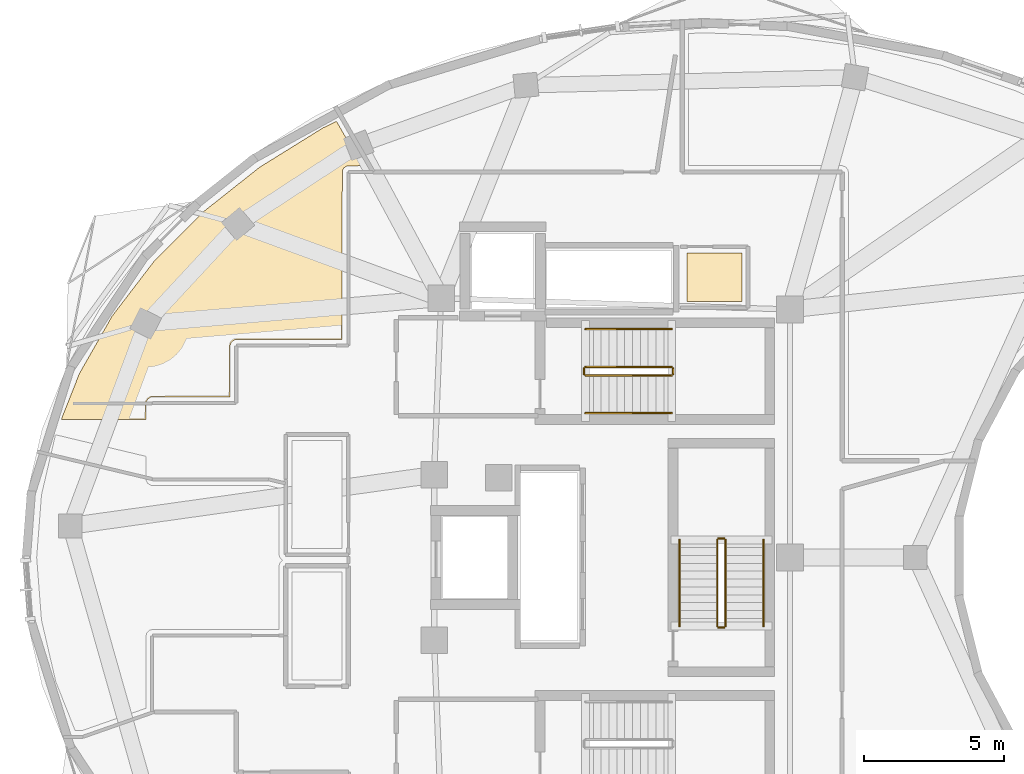
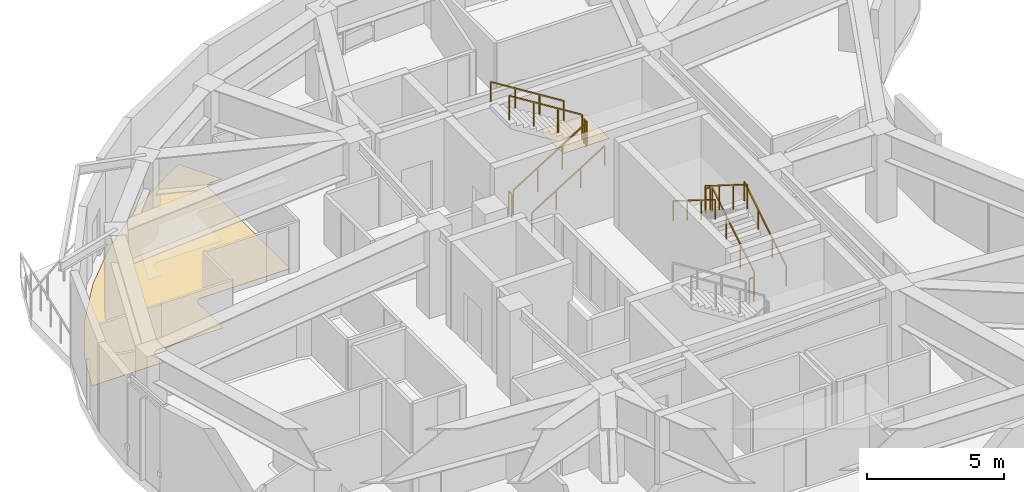
# One storey, part 11 of 12: 12 railings, 2 coverings.
"""IFC4 building model written with IfcOpenShell, lengths in metres."""

from ifc_helpers import new_model, si_unit, direction, frame, origin, origin_2d, place, context, subcontext, project, spatial, polyline, rectangle, outline, extrude, material, layer, layer_set, type_object, element, save


model = new_model("IFC4")

# Units and contexts
model_context = context("Model", 3, precision=1e-05, world=origin(), true_north=direction((0.0, 1.0)))
body_context = subcontext(model_context, "Body", "Model", "MODEL_VIEW")
ifc_project = project(units=[si_unit("LENGTHUNIT", "METRE"), si_unit("AREAUNIT", "SQUARE_METRE"), si_unit("VOLUMEUNIT", "CUBIC_METRE"), si_unit("PLANEANGLEUNIT", "RADIAN"), si_unit("MASSUNIT", "GRAM", prefix="KILO")], contexts=[model_context])

# Site, building, storey
site_placement = place(None, origin())
site = spatial("IfcSite", under=ifc_project, at=site_placement, CompositionType="ELEMENT")
building_placement = place(site_placement, origin())
building = spatial("IfcBuilding", under=site, at=building_placement, Name="Korentha Bioscience Tower", CompositionType="ELEMENT")
storey_placement = place(building_placement, frame((0.0, 0.0, 286.800048828125)))
storey = spatial("IfcBuildingStorey", under=building, at=storey_placement, Name="L66", CompositionType="ELEMENT", Elevation=286.800048828125)

# Covering
ifc_material_1 = material(Name="Vitrified Porcelain Tile", Category="ceramic")
ifc_layer_1 = layer(ifc_material_1, 0.014892578125, Name="Vitrified Porcelain Tile")
ifc_layer_set_1 = layer_set([ifc_layer_1], Name="Vitrified Porcelain Tile (FL-CER)")
covering_type_1 = type_object("IfcCoveringType", Name="Anti-Slip Ceramic Wet-Room Tile Flooring 15", PredefinedType="FLOORING", material=ifc_layer_set_1)
covering_1_placement = place(storey_placement, origin())
element("IfcCovering", 1, at=covering_1_placement, inside=storey, type_object=covering_type_1, Name="L66 Accessible Staff WC Floor Finish", PredefinedType="FLOORING", context=body_context, shape_type="SweptSolid", body=[
    extrude(outline(polyline([(33.8701171875, 36.1298828125), (33.8701171875, 37.8701171875), (35.830078125, 37.8701171875), (35.830078125, 36.1298828125), (33.8701171875, 36.1298828125)])), origin(), (0.0, 0.0, 1.0), 0.014892578125),
])

# Railings
ifc_material_2 = material(Name="Stainless Steel 304", Category="steel")
railing_type_1 = type_object("IfcRailingType", Name="Brushed Stainless Stair Handrail 900", PredefinedType="HANDRAIL", material=ifc_material_2)
railing_1_placement = place(storey_placement, frame((30.25, 32.14990234375, 0.175048828125)))
element("IfcRailing", 2, at=railing_1_placement, inside=storey, type_object=railing_type_1, Name="L66 ST-1 stair handrail 1", PredefinedType="HANDRAIL", context=body_context, shape_type="SweptSolid", body=[
    extrude(rectangle(XDim=0.048095703125, YDim=0.048095703125, at=origin_2d()), frame((0.0, 0.0, 0.8759765625), z_axis=(0.848028513186, 0.0, 0.529950602248), x_axis=(0.0, 1.0, 0.0)), (0.0, 0.0, 1.0), 3.632080078125),
    extrude(rectangle(XDim=0.0419921875, YDim=0.0419921875, at=origin_2d()), origin(), (0.0, 0.0, 1.0), 0.851806640625),
    extrude(rectangle(XDim=0.0419921875, YDim=0.0419921875, at=origin_2d()), frame((1.026611328125, 0.0, 0.6416015625)), (0.0, 0.0, 1.0), 0.851806640625),
    extrude(rectangle(XDim=0.0419921875, YDim=0.0419921875, at=origin_2d()), frame((2.053466796875, 0.0, 1.283203125)), (0.0, 0.0, 1.0), 0.851806640625),
    extrude(rectangle(XDim=0.0419921875, YDim=0.0419921875, at=origin_2d()), frame((3.080078125, 0.0, 1.9248046875)), (0.0, 0.0, 1.0), 0.851806640625),
])
railing_2_placement = place(storey_placement, frame((33.330078125, 35.14990234375, 2.27490234375)))
element("IfcRailing", 3, at=railing_2_placement, inside=storey, type_object=railing_type_1, Name="L66 ST-1 stair handrail 2", PredefinedType="HANDRAIL", context=body_context, shape_type="SweptSolid", body=[
    extrude(rectangle(XDim=0.048095703125, YDim=0.048095703125, at=origin_2d()), frame((0.0, 0.0, 0.8759765625), z_axis=(-0.847998304005, 0.0, 0.529998940003), x_axis=(0.0, -1.0, 0.0)), (0.0, 0.0, 1.0), 3.632080078125),
    extrude(rectangle(XDim=0.0419921875, YDim=0.0419921875, at=origin_2d()), origin(), (0.0, 0.0, 1.0), 0.851806640625),
    extrude(rectangle(XDim=0.0419921875, YDim=0.0419921875, at=origin_2d()), frame((-1.026611328125, 0.0, 0.6416015625)), (0.0, 0.0, 1.0), 0.851806640625),
    extrude(rectangle(XDim=0.0419921875, YDim=0.0419921875, at=origin_2d()), frame((-2.053466796875, 0.0, 1.283447265625)), (0.0, 0.0, 1.0), 0.851806640625),
    extrude(rectangle(XDim=0.0419921875, YDim=0.0419921875, at=origin_2d()), frame((-3.080078125, 0.0, 1.925048828125)), (0.0, 0.0, 1.0), 0.851806640625),
])
railing_3_placement = place(storey_placement, frame((36.60009765625, 24.550048828125, 0.175048828125)))
element("IfcRailing", 4, at=railing_3_placement, inside=storey, type_object=railing_type_1, Name="L66 ST-3 stair handrail 1", PredefinedType="HANDRAIL", context=body_context, shape_type="SweptSolid", body=[
    extrude(rectangle(XDim=0.048095703125, YDim=0.048095703125, at=origin_2d()), frame((0.0, 0.0, 0.8759765625), z_axis=(0.0, 0.848009633417, 0.529980812513), x_axis=(-1.0, 0.0, 0.0)), (0.0, 0.0, 1.0), 3.6318359375),
    extrude(rectangle(XDim=0.0419921875, YDim=0.0419921875, at=origin_2d()), origin(), (0.0, 0.0, 1.0), 0.851806640625),
    extrude(rectangle(XDim=0.0419921875, YDim=0.0419921875, at=origin_2d()), frame((0.0, 1.026611328125, 0.6416015625)), (0.0, 0.0, 1.0), 0.851806640625),
    extrude(rectangle(XDim=0.0419921875, YDim=0.0419921875, at=origin_2d()), frame((0.0, 2.05322265625, 1.283203125)), (0.0, 0.0, 1.0), 0.851806640625),
    extrude(rectangle(XDim=0.0419921875, YDim=0.0419921875, at=origin_2d()), frame((0.0, 3.079833984375, 1.9248046875)), (0.0, 0.0, 1.0), 0.851806640625),
])
railing_4_placement = place(storey_placement, frame((33.60009765625, 27.6298828125, 2.27490234375)))
element("IfcRailing", 5, at=railing_4_placement, inside=storey, type_object=railing_type_1, Name="L66 ST-3 stair handrail 2", PredefinedType="HANDRAIL", context=body_context, shape_type="SweptSolid", body=[
    extrude(rectangle(XDim=0.048095703125, YDim=0.048095703125, at=origin_2d()), frame((0.0, 0.0, 0.8759765625), z_axis=(0.0, -0.847979421464, 0.530029150871), x_axis=(1.0, 0.0, 0.0)), (0.0, 0.0, 1.0), 3.632080078125),
    extrude(rectangle(XDim=0.0419921875, YDim=0.0419921875, at=origin_2d()), origin(), (0.0, 0.0, 1.0), 0.851806640625),
    extrude(rectangle(XDim=0.0419921875, YDim=0.0419921875, at=origin_2d()), frame((0.0, -1.026611328125, 0.6416015625)), (0.0, 0.0, 1.0), 0.851806640625),
    extrude(rectangle(XDim=0.0419921875, YDim=0.0419921875, at=origin_2d()), frame((0.0, -2.05322265625, 1.283447265625)), (0.0, 0.0, 1.0), 0.851806640625),
    extrude(rectangle(XDim=0.0419921875, YDim=0.0419921875, at=origin_2d()), frame((0.0, -3.079833984375, 1.925048828125)), (0.0, 0.0, 1.0), 0.851806640625),
])
ifc_material_3 = material(Name="Painted Steel S275", Category="steel")
railing_type_2 = type_object("IfcRailingType", Name="Painted Steel Stair Well Guardrail 1100", PredefinedType="GUARDRAIL", material=ifc_material_3)
railing_5_placement = place(storey_placement, frame((30.25, 33.5, 0.175048828125)))
element("IfcRailing", 6, at=railing_5_placement, inside=storey, type_object=railing_type_2, Name="L66 ST-1 stair guard 1", PredefinedType="GUARDRAIL", context=body_context, shape_type="SweptSolid", body=[
    extrude(rectangle(XDim=0.048095703125, YDim=0.048095703125, at=origin_2d()), frame((0.0, 0.0, 1.076171875), z_axis=(0.848028513186, 0.0, 0.529950602248), x_axis=(0.0, 1.0, 0.0)), (0.0, 0.0, 1.0), 3.632080078125),
    extrude(rectangle(XDim=0.0419921875, YDim=0.0419921875, at=origin_2d()), origin(), (0.0, 0.0, 1.0), 1.052001953125),
    extrude(rectangle(XDim=0.0419921875, YDim=0.0419921875, at=origin_2d()), frame((1.026611328125, 0.0, 0.6416015625)), (0.0, 0.0, 1.0), 1.052001953125),
    extrude(rectangle(XDim=0.0419921875, YDim=0.0419921875, at=origin_2d()), frame((2.053466796875, 0.0, 1.283203125)), (0.0, 0.0, 1.0), 1.052001953125),
    extrude(rectangle(XDim=0.0419921875, YDim=0.0419921875, at=origin_2d()), frame((3.080078125, 0.0, 1.9248046875)), (0.0, 0.0, 1.0), 1.052001953125),
])
railing_6_placement = place(storey_placement, frame((33.3798828125, 33.550048828125, 2.099853515625)))
element("IfcRailing", 7, at=railing_6_placement, inside=storey, type_object=railing_type_2, Name="L66 ST-1 stair guard 2", PredefinedType="GUARDRAIL", context=body_context, shape_type="SweptSolid", body=[
    extrude(rectangle(XDim=0.048095703125, YDim=0.048095703125, at=origin_2d()), frame((0.0, 0.0, 1.076171875), z_axis=(0.0, 1.0, 0.0), x_axis=(-1.0, 0.0, 0.0)), (0.0, 0.0, 1.0), 0.199951171875),
    extrude(rectangle(XDim=0.0419921875, YDim=0.0419921875, at=origin_2d()), origin(), (0.0, 0.0, 1.0), 1.052001953125),
    extrude(rectangle(XDim=0.0419921875, YDim=0.0419921875, at=origin_2d()), frame((0.0, 0.199951171875, 0.0)), (0.0, 0.0, 1.0), 1.052001953125),
])
railing_7_placement = place(storey_placement, frame((33.330078125, 33.800048828125, 2.27490234375)))
element("IfcRailing", 8, at=railing_7_placement, inside=storey, type_object=railing_type_2, Name="L66 ST-1 stair guard 3", PredefinedType="GUARDRAIL", context=body_context, shape_type="SweptSolid", body=[
    extrude(rectangle(XDim=0.048095703125, YDim=0.048095703125, at=origin_2d()), frame((0.0, 0.0, 1.076171875), z_axis=(-0.847998304005, 0.0, 0.529998940003), x_axis=(0.0, -1.0, 0.0)), (0.0, 0.0, 1.0), 3.632080078125),
    extrude(rectangle(XDim=0.0419921875, YDim=0.0419921875, at=origin_2d()), origin(), (0.0, 0.0, 1.0), 1.052001953125),
    extrude(rectangle(XDim=0.0419921875, YDim=0.0419921875, at=origin_2d()), frame((-1.026611328125, 0.0, 0.6416015625)), (0.0, 0.0, 1.0), 1.052001953125),
    extrude(rectangle(XDim=0.0419921875, YDim=0.0419921875, at=origin_2d()), frame((-2.053466796875, 0.0, 1.283447265625)), (0.0, 0.0, 1.0), 1.052001953125),
    extrude(rectangle(XDim=0.0419921875, YDim=0.0419921875, at=origin_2d()), frame((-3.080078125, 0.0, 1.925048828125)), (0.0, 0.0, 1.0), 1.052001953125),
])
railing_8_placement = place(storey_placement, frame((30.199951171875, 33.550048828125, 0.0)))
element("IfcRailing", 9, at=railing_8_placement, inside=storey, type_object=railing_type_2, Name="L66 ST-1 stair guard 4", PredefinedType="GUARDRAIL", context=body_context, shape_type="SweptSolid", body=[
    extrude(rectangle(XDim=0.048095703125, YDim=0.048095703125, at=origin_2d()), frame((0.0, 0.0, 1.076171875), z_axis=(0.0, 1.0, 0.0), x_axis=(-1.0, 0.0, 0.0)), (0.0, 0.0, 1.0), 0.199951171875),
    extrude(rectangle(XDim=0.0419921875, YDim=0.0419921875, at=origin_2d()), origin(), (0.0, 0.0, 1.0), 1.052001953125),
    extrude(rectangle(XDim=0.0419921875, YDim=0.0419921875, at=origin_2d()), frame((0.0, 0.199951171875, 0.0)), (0.0, 0.0, 1.0), 1.052001953125),
])
railing_9_placement = place(storey_placement, frame((35.25, 24.550048828125, 0.175048828125)))
element("IfcRailing", 10, at=railing_9_placement, inside=storey, type_object=railing_type_2, Name="L66 ST-3 stair guard 1", PredefinedType="GUARDRAIL", context=body_context, shape_type="SweptSolid", body=[
    extrude(rectangle(XDim=0.048095703125, YDim=0.048095703125, at=origin_2d()), frame((0.0, 0.0, 1.076171875), z_axis=(0.0, 0.848009633417, 0.529980812513), x_axis=(-1.0, 0.0, 0.0)), (0.0, 0.0, 1.0), 3.6318359375),
    extrude(rectangle(XDim=0.0419921875, YDim=0.0419921875, at=origin_2d()), origin(), (0.0, 0.0, 1.0), 1.052001953125),
    extrude(rectangle(XDim=0.0419921875, YDim=0.0419921875, at=origin_2d()), frame((0.0, 1.026611328125, 0.6416015625)), (0.0, 0.0, 1.0), 1.052001953125),
    extrude(rectangle(XDim=0.0419921875, YDim=0.0419921875, at=origin_2d()), frame((0.0, 2.05322265625, 1.283203125)), (0.0, 0.0, 1.0), 1.052001953125),
    extrude(rectangle(XDim=0.0419921875, YDim=0.0419921875, at=origin_2d()), frame((0.0, 3.079833984375, 1.9248046875)), (0.0, 0.0, 1.0), 1.052001953125),
])
railing_10_placement = place(storey_placement, frame((35.199951171875, 27.679931640625, 2.099853515625)))
element("IfcRailing", 11, at=railing_10_placement, inside=storey, type_object=railing_type_2, Name="L66 ST-3 stair guard 2", PredefinedType="GUARDRAIL", context=body_context, shape_type="SweptSolid", body=[
    extrude(rectangle(XDim=0.048095703125, YDim=0.048095703125, at=origin_2d()), frame((0.0, 0.0, 1.076171875), z_axis=(-1.0, 0.0, 0.0), x_axis=(0.0, -1.0, 0.0)), (0.0, 0.0, 1.0), 0.199951171875),
    extrude(rectangle(XDim=0.0419921875, YDim=0.0419921875, at=origin_2d()), origin(), (0.0, 0.0, 1.0), 1.052001953125),
    extrude(rectangle(XDim=0.0419921875, YDim=0.0419921875, at=origin_2d()), frame((-0.199951171875, 0.0, 0.0)), (0.0, 0.0, 1.0), 1.052001953125),
])
railing_11_placement = place(storey_placement, frame((34.949951171875, 27.6298828125, 2.27490234375)))
element("IfcRailing", 12, at=railing_11_placement, inside=storey, type_object=railing_type_2, Name="L66 ST-3 stair guard 3", PredefinedType="GUARDRAIL", context=body_context, shape_type="SweptSolid", body=[
    extrude(rectangle(XDim=0.048095703125, YDim=0.048095703125, at=origin_2d()), frame((0.0, 0.0, 1.076171875), z_axis=(0.0, -0.847979421464, 0.530029150871), x_axis=(1.0, 0.0, 0.0)), (0.0, 0.0, 1.0), 3.632080078125),
    extrude(rectangle(XDim=0.0419921875, YDim=0.0419921875, at=origin_2d()), origin(), (0.0, 0.0, 1.0), 1.052001953125),
    extrude(rectangle(XDim=0.0419921875, YDim=0.0419921875, at=origin_2d()), frame((0.0, -1.026611328125, 0.6416015625)), (0.0, 0.0, 1.0), 1.052001953125),
    extrude(rectangle(XDim=0.0419921875, YDim=0.0419921875, at=origin_2d()), frame((0.0, -2.05322265625, 1.283447265625)), (0.0, 0.0, 1.0), 1.052001953125),
    extrude(rectangle(XDim=0.0419921875, YDim=0.0419921875, at=origin_2d()), frame((0.0, -3.079833984375, 1.925048828125)), (0.0, 0.0, 1.0), 1.052001953125),
])
railing_12_placement = place(storey_placement, frame((35.199951171875, 24.5, 0.0)))
element("IfcRailing", 13, at=railing_12_placement, inside=storey, type_object=railing_type_2, Name="L66 ST-3 stair guard 4", PredefinedType="GUARDRAIL", context=body_context, shape_type="SweptSolid", body=[
    extrude(rectangle(XDim=0.048095703125, YDim=0.048095703125, at=origin_2d()), frame((0.0, 0.0, 1.076171875), z_axis=(-1.0, 0.0, 0.0), x_axis=(0.0, -1.0, 0.0)), (0.0, 0.0, 1.0), 0.199951171875),
    extrude(rectangle(XDim=0.0419921875, YDim=0.0419921875, at=origin_2d()), origin(), (0.0, 0.0, 1.0), 1.052001953125),
    extrude(rectangle(XDim=0.0419921875, YDim=0.0419921875, at=origin_2d()), frame((-0.199951171875, 0.0, 0.0)), (0.0, 0.0, 1.0), 1.052001953125),
])

# Covering
ifc_material_4 = material(Name="Chemical-Resistant Epoxy Resin", Category="polymer")
ifc_layer_2 = layer(ifc_material_4, 0.011962890625, Name="Chemical-Resistant Epoxy Resin")
ifc_layer_set_2 = layer_set([ifc_layer_2], Name="Chemical-Resistant Epoxy Resin (FL-EPX)")
covering_type_2 = type_object("IfcCoveringType", Name="Seamless Epoxy Laboratory Flooring 12", PredefinedType="FLOORING", material=ifc_layer_set_2)
covering_2_placement = place(storey_placement, origin())
element("IfcCovering", 14, at=covering_2_placement, inside=storey, type_object=covering_type_2, Name="L66 Clinical Trials Data Office 09 Floor Finish", PredefinedType="FLOORING", context=body_context, shape_type="SweptSolid", body=[
    extrude(outline(polyline([(12.194580078125, 33.567138671875), (13.361572265625, 35.615234375), (14.836181640625, 37.54296875), (16.5986328125, 39.322021484375), (18.6240234375, 40.925537109375), (20.8837890625, 42.3291015625), (21.367919921875, 42.5615234375), (22.281005859375, 40.97998046875), (21.74365234375, 40.972900390625), (21.62939453125, 40.904052734375), (21.572509765625, 40.783203125), (21.570068359375, 34.780029296875), (17.800048828125, 34.780029296875), (17.72216796875, 34.766357421875), (17.614990234375, 34.6865234375), (17.5703125, 34.561767578125), (17.570068359375, 32.72998046875), (14.74365234375, 32.722900390625), (14.6298828125, 32.65478515625), (14.576904296875, 32.555419921875), (14.570068359375, 31.922119140625), (11.54541015625, 31.922119140625), (12.194580078125, 33.567138671875)])), origin(), (0.0, 0.0, 1.0), 0.011962890625),
])

save(model, "model.ifc")
